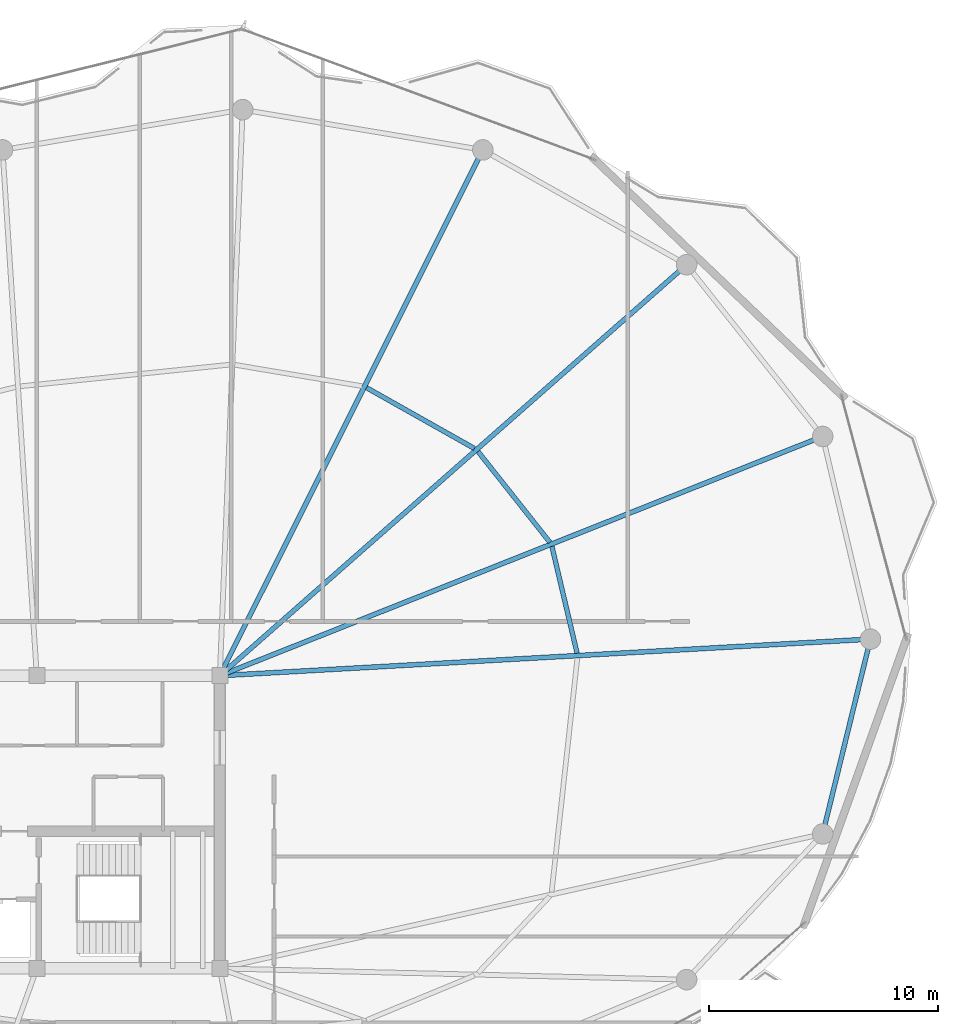
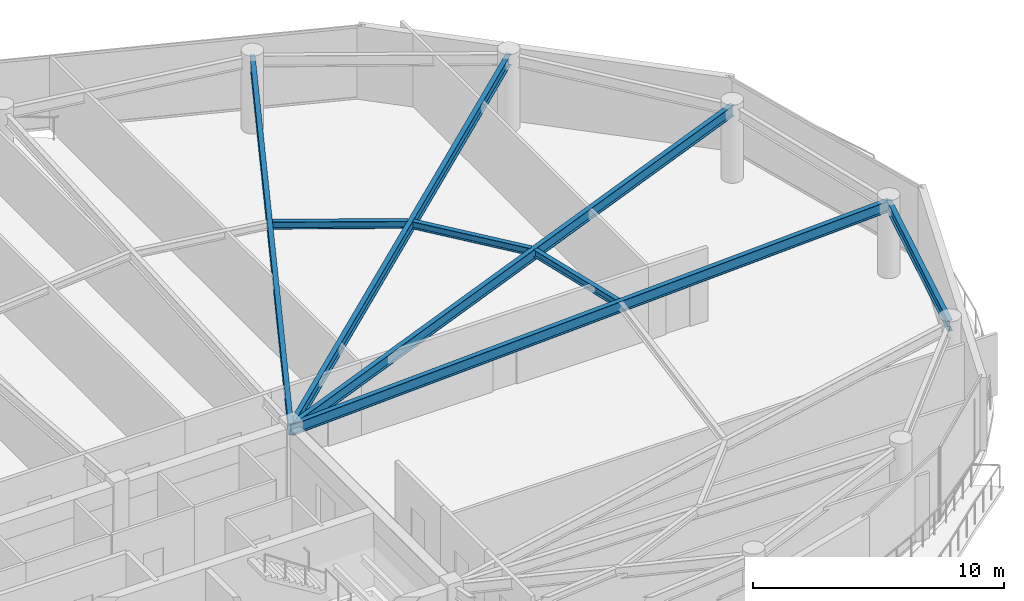
# One storey, part 16 of 29: 8 beams.
"""IFC4 building model written with IfcOpenShell, lengths in metres."""

from ifc_helpers import new_model, si_unit, direction, frame, origin, origin_2d, place, context, subcontext, project, spatial, i_section, extrude, material, material_profile, profile_set, type_object, element, save


model = new_model("IFC4")

# Units and contexts
model_context = context("Model", 3, precision=1e-05, world=origin(), true_north=direction((0.0, 1.0)))
body_context = subcontext(model_context, "Body", "Model", "MODEL_VIEW")
ifc_project = project(units=[si_unit("LENGTHUNIT", "METRE"), si_unit("AREAUNIT", "SQUARE_METRE"), si_unit("VOLUMEUNIT", "CUBIC_METRE"), si_unit("PLANEANGLEUNIT", "RADIAN"), si_unit("MASSUNIT", "GRAM", prefix="KILO")], contexts=[model_context])

# Site, building, storey
site_placement = place(None, origin())
site = spatial("IfcSite", under=ifc_project, at=site_placement, CompositionType="ELEMENT")
building_placement = place(site_placement, origin())
building = spatial("IfcBuilding", under=site, at=building_placement, Name="Kazevale Care Tower and Concert Hall", CompositionType="ELEMENT")
storey_placement = place(building_placement, frame((0.0, 0.0, 281.39990234375)))
storey = spatial("IfcBuildingStorey", under=building, at=storey_placement, Name="L74", CompositionType="ELEMENT", Elevation=281.39990234375)

# Beams
ifc_material = material(Name="Steel ASTM A572 Gr 50", Category="steel")
ifc_material_profile_1 = material_profile(ifc_material, i_section(OverallWidth=0.2119140625, OverallDepth=0.5439453125, WebThickness=0.01318359375, FlangeThickness=0.021240234375, at=origin_2d()), Name="W530x123")
ifc_profile_set_1 = profile_set([ifc_material_profile_1], Name="Steel ASTM A572 Gr 50")
beam_type_1 = type_object("IfcBeamType", Name="Radial Floor Girder W530x123", PredefinedType="BEAM", material=ifc_profile_set_1)
beam_1_placement = place(storey_placement, frame((44.0, 36.39990234375, 3.2880859375), z_axis=(0.998422130452, 0.056153801503, 0.0), x_axis=(-0.056153801503, 0.998422130452, 0.0)))
element("IfcBeam", 1, at=beam_1_placement, inside=storey, type_object=beam_type_1, Name="beam:L74:rad:01", PredefinedType="BEAM", context=body_context, shape_type="SweptSolid", body=[
    extrude(i_section(OverallWidth=0.2119140625, OverallDepth=0.5439453125, WebThickness=0.01318359375, FlangeThickness=0.021240234375, at=origin_2d()), origin(), (0.0, 0.0, 1.0), 28.494873046875),
])
beam_2_placement = place(storey_placement, frame((44.0, 36.39990234375, 3.2880859375), z_axis=(0.929492585064, 0.368840798057, 0.0), x_axis=(-0.368840798057, 0.929492585064, 0.0)))
element("IfcBeam", 2, at=beam_2_placement, inside=storey, type_object=beam_type_1, Name="beam:L74:rad:02", PredefinedType="BEAM", context=body_context, shape_type="SweptSolid", body=[
    extrude(i_section(OverallWidth=0.2119140625, OverallDepth=0.5439453125, WebThickness=0.01318359375, FlangeThickness=0.021240234375, at=origin_2d()), origin(), (0.0, 0.0, 1.0), 28.359619140625),
])
beam_3_placement = place(storey_placement, frame((44.0, 36.39990234375, 3.2880859375), z_axis=(0.750540377871, 0.660824591844, 0.0), x_axis=(-0.660824591844, 0.750540377871, 0.0)))
element("IfcBeam", 3, at=beam_3_placement, inside=storey, type_object=beam_type_1, Name="beam:L74:rad:03", PredefinedType="BEAM", context=body_context, shape_type="SweptSolid", body=[
    extrude(i_section(OverallWidth=0.2119140625, OverallDepth=0.5439453125, WebThickness=0.01318359375, FlangeThickness=0.021240234375, at=origin_2d()), origin(), (0.0, 0.0, 1.0), 27.193603515625),
])
beam_4_placement = place(storey_placement, frame((44.0, 36.39990234375, 3.2880859375), z_axis=(0.447369347408, 0.894349298093, 0.0), x_axis=(-0.894349298093, 0.447369347408, 0.0)))
element("IfcBeam", 4, at=beam_4_placement, inside=storey, type_object=beam_type_1, Name="beam:L74:rad:04", PredefinedType="BEAM", context=body_context, shape_type="SweptSolid", body=[
    extrude(i_section(OverallWidth=0.2119140625, OverallDepth=0.5439453125, WebThickness=0.01318359375, FlangeThickness=0.021240234375, at=origin_2d()), origin(), (0.0, 0.0, 1.0), 25.705810546875),
])
ifc_material_profile_2 = material_profile(ifc_material, i_section(OverallWidth=0.205078125, OverallDepth=0.35400390625, WebThickness=0.009521484375, FlangeThickness=0.016845703125, at=origin_2d()), Name="W360x79")
ifc_profile_set_2 = profile_set([ifc_material_profile_2], Name="Steel ASTM A572 Gr 50")
beam_type_2 = type_object("IfcBeamType", Name="Secondary Floor Joist W360x79", PredefinedType="JOIST", material=ifc_profile_set_2)
beam_5_placement = place(storey_placement, frame((59.623046875, 37.382080078125, 3.383056640625), z_axis=(-0.2295328947, 0.973300904269, 0.0), x_axis=(-0.973300904269, -0.2295328947, 0.0)))
element("IfcBeam", 5, at=beam_5_placement, inside=storey, type_object=beam_type_2, Name="beam:L74:joist:01", PredefinedType="JOIST", context=body_context, shape_type="SweptSolid", body=[
    extrude(i_section(OverallWidth=0.205078125, OverallDepth=0.35400390625, WebThickness=0.009521484375, FlangeThickness=0.016845703125, at=origin_2d()), origin(), (0.0, 0.0, 1.0), 4.797119140625),
])
beam_6_placement = place(storey_placement, frame((58.43310546875, 42.235107421875, 3.383056640625), z_axis=(-0.621004461172, 0.783807029315, 0.0), x_axis=(-0.783807029315, -0.621004461172, 0.0)))
element("IfcBeam", 6, at=beam_6_placement, inside=storey, type_object=beam_type_2, Name="beam:L74:joist:02", PredefinedType="JOIST", context=body_context, shape_type="SweptSolid", body=[
    extrude(i_section(OverallWidth=0.205078125, OverallDepth=0.35400390625, WebThickness=0.009521484375, FlangeThickness=0.016845703125, at=origin_2d()), origin(), (0.0, 0.0, 1.0), 5.0595703125),
])
beam_7_placement = place(storey_placement, frame((55.134033203125, 46.3349609375, 3.383056640625), z_axis=(-0.871253873352, 0.490832647823, 0.0), x_axis=(-0.490832647823, -0.871253873352, 0.0)))
element("IfcBeam", 7, at=beam_7_placement, inside=storey, type_object=beam_type_2, Name="beam:L74:joist:03", PredefinedType="JOIST", context=body_context, shape_type="SweptSolid", body=[
    extrude(i_section(OverallWidth=0.205078125, OverallDepth=0.35400390625, WebThickness=0.009521484375, FlangeThickness=0.016845703125, at=origin_2d()), origin(), (0.0, 0.0, 1.0), 5.415283203125),
])
ifc_material_profile_3 = material_profile(ifc_material, i_section(OverallWidth=0.208984375, OverallDepth=0.532958984375, WebThickness=0.01025390625, FlangeThickness=0.015625, at=origin_2d()), Name="W530x92")
ifc_profile_set_3 = profile_set([ifc_material_profile_3], Name="Steel ASTM A572 Gr 50")
beam_type_3 = type_object("IfcBeamType", Name="Upper Ring Beam W530x92", PredefinedType="BEAM", material=ifc_profile_set_3)
beam_8_placement = place(storey_placement, frame((70.360107421875, 29.47998046875, 3.293701171875), z_axis=(0.238224499566, 0.971210115169, 0.0), x_axis=(-0.971210115169, 0.238224499566, 0.0)))
element("IfcBeam", 8, at=beam_8_placement, inside=storey, type_object=beam_type_3, Name="beam:L74:ring:16", PredefinedType="BEAM", context=body_context, shape_type="SweptSolid", body=[
    extrude(i_section(OverallWidth=0.208984375, OverallDepth=0.532958984375, WebThickness=0.01025390625, FlangeThickness=0.015625, at=origin_2d()), origin(), (0.0, 0.0, 1.0), 8.7724609375),
])

save(model, "model.ifc")
